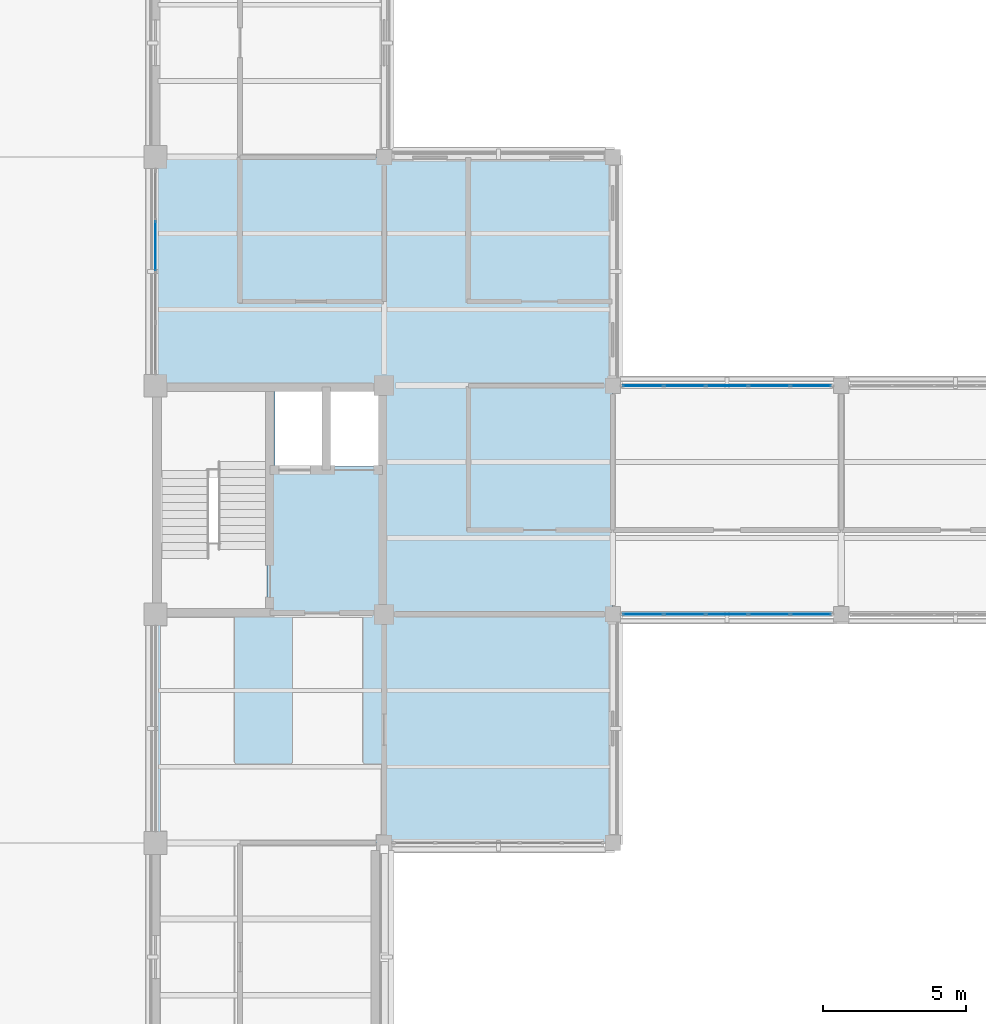
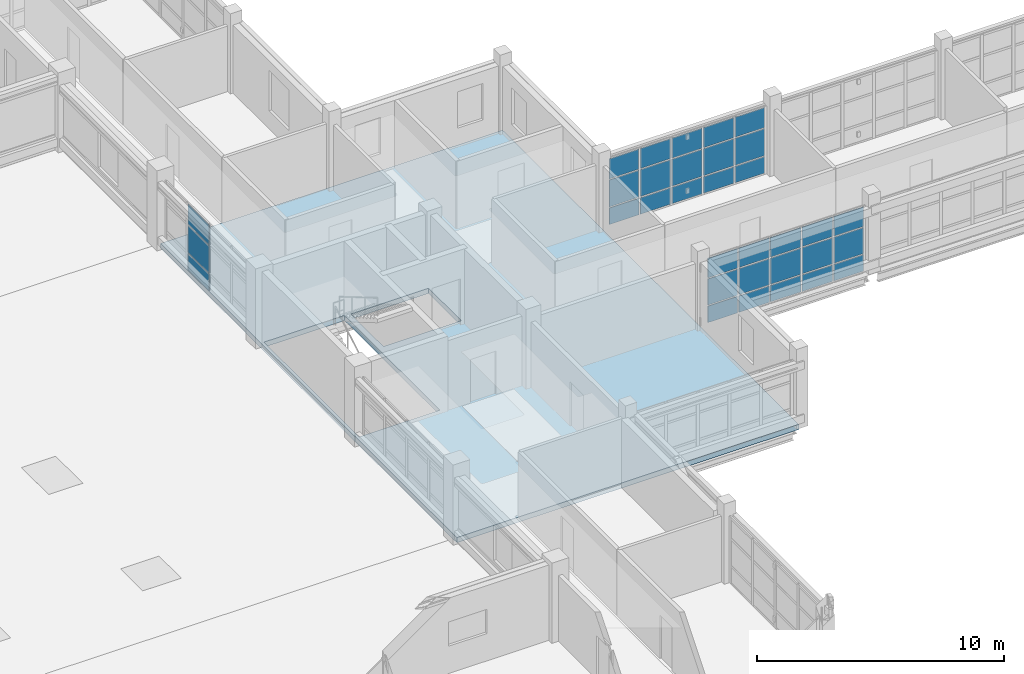
# One storey, part 61 of 107: 33 plates, 1 slab, 3 elements without a shape of their own.
"""IFC4 building model written with IfcOpenShell, lengths in metres."""

from ifc_helpers import new_model, si_unit, derived_unit, direction, frame, origin, origin_2d, place, context, subcontext, project, spatial, polyline, rectangle, outline, extrude, material, layer, layer_set, type_object, element, aggregate, save


model = new_model("IFC4")

# Units and contexts
model_context = context("Model", 3, precision=1e-05, world=origin(), true_north=direction((0.0, 1.0)))
body_context = subcontext(model_context, "Body", "Model", "MODEL_VIEW")
ifc_project = project(units=[si_unit("LENGTHUNIT", "METRE"), si_unit("AREAUNIT", "SQUARE_METRE"), si_unit("VOLUMEUNIT", "CUBIC_METRE"), si_unit("PLANEANGLEUNIT", "RADIAN"), si_unit("MASSUNIT", "GRAM", prefix="KILO"), derived_unit("THERMALTRANSMITTANCEUNIT", [(si_unit("MASSUNIT", "GRAM", prefix="KILO"), 1), (si_unit("TIMEUNIT", "SECOND"), -3), (si_unit("THERMODYNAMICTEMPERATUREUNIT", "KELVIN"), -1)])], contexts=[model_context])

# Site, building, storey
site_placement = place(None, origin())
site = spatial("IfcSite", under=ifc_project, at=site_placement, CompositionType="ELEMENT")
building_placement = place(site_placement, origin())
building = spatial("IfcBuilding", under=site, at=building_placement, Name="Veyamyaing Civic Hall", CompositionType="ELEMENT")
storey_placement = place(building_placement, frame((0.0, 0.0, 13.860107421875)))
storey = spatial("IfcBuildingStorey", under=building, at=storey_placement, Name="L03", CompositionType="ELEMENT", Elevation=13.860107421875)

# Curtain wall, plates
ifc_material_1 = material(Name="Anodised aluminium 6063-T6", Category="aluminium")
ifc_layer_1 = layer(ifc_material_1, 0.159912109375, Name="Anodised aluminium 6063-T6")
ifc_layer_set_1 = layer_set([ifc_layer_1], Name="Anodised aluminium 6063-T6")
curtain_wall_type_1 = type_object("IfcCurtainWallType", Name="CW-07", PredefinedType="NOTDEFINED", material=ifc_layer_set_1)
curtain_wall_1_placement = place(storey_placement, origin())
curtain_wall_1 = element("IfcCurtainWall", 1, at=curtain_wall_1_placement, inside=storey, type_object=curtain_wall_type_1, Name="Unitized curtain wall CW-07 L03 W 14.8", PredefinedType="NOTDEFINED")
ifc_material_2 = material(Name="Low-E insulated glass", Category="glass")
ifc_layer_2 = layer(ifc_material_2, 0.028076171875, Name="Low-E insulated glass")
ifc_layer_set_2 = layer_set([ifc_layer_2], Name="Low-E insulated glass")
plate_type_1 = type_object("IfcPlateType", Name="CWP-01", PredefinedType="CURTAIN_PANEL", material=ifc_layer_set_2)
plate_1_placement = place(storey_placement, frame((104.0, 60.892578125, 0.06494140625), z_axis=(0.0, 0.0, 1.0), x_axis=(0.0, 1.0, 0.0)))
plate_1 = element("IfcPlate", 2, at=plate_1_placement, type_object=plate_type_1, Name="CW-07 panel 3.1", PredefinedType="CURTAIN_PANEL", context=body_context, shape_type="SweptSolid", body=[
    extrude(rectangle(XDim=1.719970703125, YDim=0.028076171875, at=origin_2d()), origin(), (0.0, 0.0, 1.0), 0.802490234375),
])
plate_2_placement = place(storey_placement, frame((104.0, 60.892578125, 0.932373046875), z_axis=(0.0, 0.0, 1.0), x_axis=(0.0, 1.0, 0.0)))
plate_2 = element("IfcPlate", 3, at=plate_2_placement, type_object=plate_type_1, Name="CW-07 panel 3.2", PredefinedType="CURTAIN_PANEL", context=body_context, shape_type="SweptSolid", body=[
    extrude(rectangle(XDim=1.719970703125, YDim=0.028076171875, at=origin_2d()), origin(), (0.0, 0.0, 1.0), 1.32470703125),
])
plate_3_placement = place(storey_placement, frame((104.0, 60.892578125, 2.322021484375), z_axis=(0.0, 0.0, 1.0), x_axis=(0.0, 1.0, 0.0)))
plate_3 = element("IfcPlate", 4, at=plate_3_placement, type_object=plate_type_1, Name="CW-07 panel 3.3", PredefinedType="CURTAIN_PANEL", context=body_context, shape_type="SweptSolid", body=[
    extrude(rectangle(XDim=1.719970703125, YDim=0.028076171875, at=origin_2d()), origin(), (0.0, 0.0, 1.0), 0.97998046875),
])
aggregate(curtain_wall_1, [plate_1, plate_2, plate_3])

ifc_layer_3 = layer(ifc_material_1, 0.139892578125, Name="Anodised aluminium 6063-T6")
ifc_layer_set_3 = layer_set([ifc_layer_3], Name="Anodised aluminium 6063-T6")
curtain_wall_type_2 = type_object("IfcCurtainWallType", Name="CW-04", PredefinedType="NOTDEFINED", material=ifc_layer_set_3)
curtain_wall_2_placement = place(storey_placement, origin())
curtain_wall_2 = element("IfcCurtainWall", 5, at=curtain_wall_2_placement, inside=storey, type_object=curtain_wall_type_2, Name="Unitized curtain wall CW-04 L03 S 16.7", PredefinedType="NOTDEFINED")
ifc_layer_4 = layer(ifc_material_2, 0.031982421875, Name="Low-E insulated glass")
ifc_layer_set_4 = layer_set([ifc_layer_4], Name="Low-E insulated glass")
plate_type_2 = type_object("IfcPlateType", Name="CWP-02", PredefinedType="CURTAIN_PANEL", material=ifc_layer_set_4)
plate_4_placement = place(storey_placement, frame((121.05908203125, 48.0, 0.059814453125), z_axis=(0.0, 0.0, 1.0), x_axis=(1.0, 0.0, 0.0)))
plate_4 = element("IfcPlate", 6, at=plate_4_placement, type_object=plate_type_2, Name="CW-04 panel 1.1", PredefinedType="CURTAIN_PANEL", context=body_context, shape_type="SweptSolid", body=[
    extrude(rectangle(XDim=1.387939453125, YDim=0.031982421875, at=origin_2d()), origin(), (0.0, 0.0, 1.0), 0.81005859375),
])
plate_5_placement = place(storey_placement, frame((121.05908203125, 48.0, 0.9296875), z_axis=(0.0, 0.0, 1.0), x_axis=(1.0, 0.0, 0.0)))
plate_5 = element("IfcPlate", 7, at=plate_5_placement, type_object=plate_type_2, Name="CW-04 panel 1.2", PredefinedType="CURTAIN_PANEL", context=body_context, shape_type="SweptSolid", body=[
    extrude(rectangle(XDim=1.387939453125, YDim=0.031982421875, at=origin_2d()), origin(), (0.0, 0.0, 1.0), 1.283935546875),
])
plate_6_placement = place(storey_placement, frame((121.05908203125, 48.0, 2.27392578125), z_axis=(0.0, 0.0, 1.0), x_axis=(1.0, 0.0, 0.0)))
plate_6 = element("IfcPlate", 8, at=plate_6_placement, type_object=plate_type_2, Name="CW-04 panel 1.3", PredefinedType="CURTAIN_PANEL", context=body_context, shape_type="SweptSolid", body=[
    extrude(rectangle(XDim=1.387939453125, YDim=0.031982421875, at=origin_2d()), origin(), (0.0, 0.0, 1.0), 0.966064453125),
])
plate_7_placement = place(storey_placement, frame((122.52197265625, 48.0, 0.059814453125), z_axis=(0.0, 0.0, 1.0), x_axis=(1.0, 0.0, 0.0)))
plate_7 = element("IfcPlate", 9, at=plate_7_placement, type_object=plate_type_2, Name="CW-04 panel 2.1", PredefinedType="CURTAIN_PANEL", context=body_context, shape_type="SweptSolid", body=[
    extrude(rectangle(XDim=1.41796875, YDim=0.031982421875, at=origin_2d()), origin(), (0.0, 0.0, 1.0), 0.81005859375),
])
plate_8_placement = place(storey_placement, frame((122.52197265625, 48.0, 0.9296875), z_axis=(0.0, 0.0, 1.0), x_axis=(1.0, 0.0, 0.0)))
plate_8 = element("IfcPlate", 10, at=plate_8_placement, type_object=plate_type_2, Name="CW-04 panel 2.2", PredefinedType="CURTAIN_PANEL", context=body_context, shape_type="SweptSolid", body=[
    extrude(rectangle(XDim=1.41796875, YDim=0.031982421875, at=origin_2d()), origin(), (0.0, 0.0, 1.0), 1.283935546875),
])
plate_9_placement = place(storey_placement, frame((122.52197265625, 48.0, 2.27392578125), z_axis=(0.0, 0.0, 1.0), x_axis=(1.0, 0.0, 0.0)))
plate_9 = element("IfcPlate", 11, at=plate_9_placement, type_object=plate_type_2, Name="CW-04 panel 2.3", PredefinedType="CURTAIN_PANEL", context=body_context, shape_type="SweptSolid", body=[
    extrude(rectangle(XDim=1.41796875, YDim=0.031982421875, at=origin_2d()), origin(), (0.0, 0.0, 1.0), 0.966064453125),
])
plate_10_placement = place(storey_placement, frame((124.0, 48.0, 0.059814453125), z_axis=(0.0, 0.0, 1.0), x_axis=(1.0, 0.0, 0.0)))
plate_10 = element("IfcPlate", 12, at=plate_10_placement, type_object=plate_type_2, Name="CW-04 panel 3.1", PredefinedType="CURTAIN_PANEL", context=body_context, shape_type="SweptSolid", body=[
    extrude(rectangle(XDim=1.41796875, YDim=0.031982421875, at=origin_2d()), origin(), (0.0, 0.0, 1.0), 0.81005859375),
])
plate_11_placement = place(storey_placement, frame((124.0, 48.0, 0.9296875), z_axis=(0.0, 0.0, 1.0), x_axis=(1.0, 0.0, 0.0)))
plate_11 = element("IfcPlate", 13, at=plate_11_placement, type_object=plate_type_2, Name="CW-04 panel 3.2", PredefinedType="CURTAIN_PANEL", context=body_context, shape_type="SweptSolid", body=[
    extrude(rectangle(XDim=1.41796875, YDim=0.031982421875, at=origin_2d()), origin(), (0.0, 0.0, 1.0), 1.283935546875),
])
plate_12_placement = place(storey_placement, frame((124.0, 48.0, 2.27392578125), z_axis=(0.0, 0.0, 1.0), x_axis=(1.0, 0.0, 0.0)))
plate_12 = element("IfcPlate", 14, at=plate_12_placement, type_object=plate_type_2, Name="CW-04 panel 3.3", PredefinedType="CURTAIN_PANEL", context=body_context, shape_type="SweptSolid", body=[
    extrude(rectangle(XDim=1.41796875, YDim=0.031982421875, at=origin_2d()), origin(), (0.0, 0.0, 1.0), 0.966064453125),
])
plate_13_placement = place(storey_placement, frame((125.47802734375, 48.0, 0.059814453125), z_axis=(0.0, 0.0, 1.0), x_axis=(1.0, 0.0, 0.0)))
plate_13 = element("IfcPlate", 15, at=plate_13_placement, type_object=plate_type_2, Name="CW-04 panel 4.1", PredefinedType="CURTAIN_PANEL", context=body_context, shape_type="SweptSolid", body=[
    extrude(rectangle(XDim=1.41796875, YDim=0.031982421875, at=origin_2d()), origin(), (0.0, 0.0, 1.0), 0.81005859375),
])
plate_14_placement = place(storey_placement, frame((125.47802734375, 48.0, 0.9296875), z_axis=(0.0, 0.0, 1.0), x_axis=(1.0, 0.0, 0.0)))
plate_14 = element("IfcPlate", 16, at=plate_14_placement, type_object=plate_type_2, Name="CW-04 panel 4.2", PredefinedType="CURTAIN_PANEL", context=body_context, shape_type="SweptSolid", body=[
    extrude(rectangle(XDim=1.41796875, YDim=0.031982421875, at=origin_2d()), origin(), (0.0, 0.0, 1.0), 1.283935546875),
])
plate_15_placement = place(storey_placement, frame((125.47802734375, 48.0, 2.27392578125), z_axis=(0.0, 0.0, 1.0), x_axis=(1.0, 0.0, 0.0)))
plate_15 = element("IfcPlate", 17, at=plate_15_placement, type_object=plate_type_2, Name="CW-04 panel 4.3", PredefinedType="CURTAIN_PANEL", context=body_context, shape_type="SweptSolid", body=[
    extrude(rectangle(XDim=1.41796875, YDim=0.031982421875, at=origin_2d()), origin(), (0.0, 0.0, 1.0), 0.966064453125),
])
plate_16_placement = place(storey_placement, frame((126.94091796875, 48.0, 0.059814453125), z_axis=(0.0, 0.0, 1.0), x_axis=(1.0, 0.0, 0.0)))
plate_16 = element("IfcPlate", 18, at=plate_16_placement, type_object=plate_type_2, Name="CW-04 panel 5.1", PredefinedType="CURTAIN_PANEL", context=body_context, shape_type="SweptSolid", body=[
    extrude(rectangle(XDim=1.387939453125, YDim=0.031982421875, at=origin_2d()), origin(), (0.0, 0.0, 1.0), 0.81005859375),
])
plate_17_placement = place(storey_placement, frame((126.94091796875, 48.0, 0.9296875), z_axis=(0.0, 0.0, 1.0), x_axis=(1.0, 0.0, 0.0)))
plate_17 = element("IfcPlate", 19, at=plate_17_placement, type_object=plate_type_2, Name="CW-04 panel 5.2", PredefinedType="CURTAIN_PANEL", context=body_context, shape_type="SweptSolid", body=[
    extrude(rectangle(XDim=1.387939453125, YDim=0.031982421875, at=origin_2d()), origin(), (0.0, 0.0, 1.0), 1.283935546875),
])
plate_18_placement = place(storey_placement, frame((126.94091796875, 48.0, 2.27392578125), z_axis=(0.0, 0.0, 1.0), x_axis=(1.0, 0.0, 0.0)))
plate_18 = element("IfcPlate", 20, at=plate_18_placement, type_object=plate_type_2, Name="CW-04 panel 5.3", PredefinedType="CURTAIN_PANEL", context=body_context, shape_type="SweptSolid", body=[
    extrude(rectangle(XDim=1.387939453125, YDim=0.031982421875, at=origin_2d()), origin(), (0.0, 0.0, 1.0), 0.966064453125),
])
aggregate(curtain_wall_2, [plate_4, plate_5, plate_6, plate_7, plate_8, plate_9, plate_10, plate_11, plate_12, plate_13, plate_14, plate_15, plate_16, plate_17, plate_18])

curtain_wall_3_placement = place(storey_placement, origin())
curtain_wall_3 = element("IfcCurtainWall", 21, at=curtain_wall_3_placement, inside=storey, type_object=curtain_wall_type_2, Name="Unitized curtain wall CW-04 L03 N 16.7", PredefinedType="NOTDEFINED")
plate_19_placement = place(storey_placement, frame((121.05908203125, 56.0, 0.059814453125), z_axis=(0.0, 0.0, 1.0), x_axis=(1.0, 0.0, 0.0)))
plate_19 = element("IfcPlate", 22, at=plate_19_placement, type_object=plate_type_2, Name="CW-04 panel 1.1", PredefinedType="CURTAIN_PANEL", context=body_context, shape_type="SweptSolid", body=[
    extrude(rectangle(XDim=1.387939453125, YDim=0.031982421875, at=origin_2d()), origin(), (0.0, 0.0, 1.0), 0.81005859375),
])
plate_20_placement = place(storey_placement, frame((121.05908203125, 56.0, 0.93017578125), z_axis=(0.0, 0.0, 1.0), x_axis=(1.0, 0.0, 0.0)))
plate_20 = element("IfcPlate", 23, at=plate_20_placement, type_object=plate_type_2, Name="CW-04 panel 1.2", PredefinedType="CURTAIN_PANEL", context=body_context, shape_type="SweptSolid", body=[
    extrude(rectangle(XDim=1.387939453125, YDim=0.031982421875, at=origin_2d()), origin(), (0.0, 0.0, 1.0), 1.327392578125),
])
plate_21_placement = place(storey_placement, frame((121.05908203125, 56.0, 2.3173828125), z_axis=(0.0, 0.0, 1.0), x_axis=(1.0, 0.0, 0.0)))
plate_21 = element("IfcPlate", 24, at=plate_21_placement, type_object=plate_type_2, Name="CW-04 panel 1.3", PredefinedType="CURTAIN_PANEL", context=body_context, shape_type="SweptSolid", body=[
    extrude(rectangle(XDim=1.387939453125, YDim=0.031982421875, at=origin_2d()), origin(), (0.0, 0.0, 1.0), 0.986572265625),
])
plate_22_placement = place(storey_placement, frame((122.52197265625, 56.0, 0.059814453125), z_axis=(0.0, 0.0, 1.0), x_axis=(1.0, 0.0, 0.0)))
plate_22 = element("IfcPlate", 25, at=plate_22_placement, type_object=plate_type_2, Name="CW-04 panel 2.1", PredefinedType="CURTAIN_PANEL", context=body_context, shape_type="SweptSolid", body=[
    extrude(rectangle(XDim=1.41796875, YDim=0.031982421875, at=origin_2d()), origin(), (0.0, 0.0, 1.0), 0.81005859375),
])
plate_23_placement = place(storey_placement, frame((122.52197265625, 56.0, 0.93017578125), z_axis=(0.0, 0.0, 1.0), x_axis=(1.0, 0.0, 0.0)))
plate_23 = element("IfcPlate", 26, at=plate_23_placement, type_object=plate_type_2, Name="CW-04 panel 2.2", PredefinedType="CURTAIN_PANEL", context=body_context, shape_type="SweptSolid", body=[
    extrude(rectangle(XDim=1.41796875, YDim=0.031982421875, at=origin_2d()), origin(), (0.0, 0.0, 1.0), 1.327392578125),
])
plate_24_placement = place(storey_placement, frame((122.52197265625, 56.0, 2.3173828125), z_axis=(0.0, 0.0, 1.0), x_axis=(1.0, 0.0, 0.0)))
plate_24 = element("IfcPlate", 27, at=plate_24_placement, type_object=plate_type_2, Name="CW-04 panel 2.3", PredefinedType="CURTAIN_PANEL", context=body_context, shape_type="SweptSolid", body=[
    extrude(rectangle(XDim=1.41796875, YDim=0.031982421875, at=origin_2d()), origin(), (0.0, 0.0, 1.0), 0.986572265625),
])
plate_25_placement = place(storey_placement, frame((124.0, 56.0, 0.059814453125), z_axis=(0.0, 0.0, 1.0), x_axis=(1.0, 0.0, 0.0)))
plate_25 = element("IfcPlate", 28, at=plate_25_placement, type_object=plate_type_2, Name="CW-04 panel 3.1", PredefinedType="CURTAIN_PANEL", context=body_context, shape_type="SweptSolid", body=[
    extrude(rectangle(XDim=1.41796875, YDim=0.031982421875, at=origin_2d()), origin(), (0.0, 0.0, 1.0), 0.81005859375),
])
plate_26_placement = place(storey_placement, frame((124.0, 56.0, 0.93017578125), z_axis=(0.0, 0.0, 1.0), x_axis=(1.0, 0.0, 0.0)))
plate_26 = element("IfcPlate", 29, at=plate_26_placement, type_object=plate_type_2, Name="CW-04 panel 3.2", PredefinedType="CURTAIN_PANEL", context=body_context, shape_type="SweptSolid", body=[
    extrude(rectangle(XDim=1.41796875, YDim=0.031982421875, at=origin_2d()), origin(), (0.0, 0.0, 1.0), 1.327392578125),
])
plate_27_placement = place(storey_placement, frame((124.0, 56.0, 2.3173828125), z_axis=(0.0, 0.0, 1.0), x_axis=(1.0, 0.0, 0.0)))
plate_27 = element("IfcPlate", 30, at=plate_27_placement, type_object=plate_type_2, Name="CW-04 panel 3.3", PredefinedType="CURTAIN_PANEL", context=body_context, shape_type="SweptSolid", body=[
    extrude(rectangle(XDim=1.41796875, YDim=0.031982421875, at=origin_2d()), origin(), (0.0, 0.0, 1.0), 0.986572265625),
])
plate_28_placement = place(storey_placement, frame((125.47802734375, 56.0, 0.059814453125), z_axis=(0.0, 0.0, 1.0), x_axis=(1.0, 0.0, 0.0)))
plate_28 = element("IfcPlate", 31, at=plate_28_placement, type_object=plate_type_2, Name="CW-04 panel 4.1", PredefinedType="CURTAIN_PANEL", context=body_context, shape_type="SweptSolid", body=[
    extrude(rectangle(XDim=1.41796875, YDim=0.031982421875, at=origin_2d()), origin(), (0.0, 0.0, 1.0), 0.81005859375),
])
plate_29_placement = place(storey_placement, frame((125.47802734375, 56.0, 0.93017578125), z_axis=(0.0, 0.0, 1.0), x_axis=(1.0, 0.0, 0.0)))
plate_29 = element("IfcPlate", 32, at=plate_29_placement, type_object=plate_type_2, Name="CW-04 panel 4.2", PredefinedType="CURTAIN_PANEL", context=body_context, shape_type="SweptSolid", body=[
    extrude(rectangle(XDim=1.41796875, YDim=0.031982421875, at=origin_2d()), origin(), (0.0, 0.0, 1.0), 1.327392578125),
])
plate_30_placement = place(storey_placement, frame((125.47802734375, 56.0, 2.3173828125), z_axis=(0.0, 0.0, 1.0), x_axis=(1.0, 0.0, 0.0)))
plate_30 = element("IfcPlate", 33, at=plate_30_placement, type_object=plate_type_2, Name="CW-04 panel 4.3", PredefinedType="CURTAIN_PANEL", context=body_context, shape_type="SweptSolid", body=[
    extrude(rectangle(XDim=1.41796875, YDim=0.031982421875, at=origin_2d()), origin(), (0.0, 0.0, 1.0), 0.986572265625),
])
plate_31_placement = place(storey_placement, frame((126.94091796875, 56.0, 0.059814453125), z_axis=(0.0, 0.0, 1.0), x_axis=(1.0, 0.0, 0.0)))
plate_31 = element("IfcPlate", 34, at=plate_31_placement, type_object=plate_type_2, Name="CW-04 panel 5.1", PredefinedType="CURTAIN_PANEL", context=body_context, shape_type="SweptSolid", body=[
    extrude(rectangle(XDim=1.387939453125, YDim=0.031982421875, at=origin_2d()), origin(), (0.0, 0.0, 1.0), 0.81005859375),
])
plate_32_placement = place(storey_placement, frame((126.94091796875, 56.0, 0.93017578125), z_axis=(0.0, 0.0, 1.0), x_axis=(1.0, 0.0, 0.0)))
plate_32 = element("IfcPlate", 35, at=plate_32_placement, type_object=plate_type_2, Name="CW-04 panel 5.2", PredefinedType="CURTAIN_PANEL", context=body_context, shape_type="SweptSolid", body=[
    extrude(rectangle(XDim=1.387939453125, YDim=0.031982421875, at=origin_2d()), origin(), (0.0, 0.0, 1.0), 1.327392578125),
])
plate_33_placement = place(storey_placement, frame((126.94091796875, 56.0, 2.3173828125), z_axis=(0.0, 0.0, 1.0), x_axis=(1.0, 0.0, 0.0)))
plate_33 = element("IfcPlate", 36, at=plate_33_placement, type_object=plate_type_2, Name="CW-04 panel 5.3", PredefinedType="CURTAIN_PANEL", context=body_context, shape_type="SweptSolid", body=[
    extrude(rectangle(XDim=1.387939453125, YDim=0.031982421875, at=origin_2d()), origin(), (0.0, 0.0, 1.0), 0.986572265625),
])
aggregate(curtain_wall_3, [plate_19, plate_20, plate_21, plate_22, plate_23, plate_24, plate_25, plate_26, plate_27, plate_28, plate_29, plate_30, plate_31, plate_32, plate_33])

# Slab
ifc_material_3 = material(Name="Concrete C40/50", Category="concrete")
ifc_layer_5 = layer(ifc_material_3, 0.2548828125, Name="Concrete C40/50")
ifc_layer_set_5 = layer_set([ifc_layer_5], Name="Concrete C40/50")
slab_type = type_object("IfcSlabType", Name="SL-05", PredefinedType="FLOOR", material=ifc_layer_set_5)
slab_placement = place(storey_placement, frame((0.0, 0.0, -0.255126953125)))
element("IfcSlab", 37, at=slab_placement, inside=storey, type_object=slab_type, Name="Floor slab SL-05 L03 V1C.2", PredefinedType="FLOOR", context=body_context, shape_type="SweptSolid", body=[
    extrude(outline(polyline([(104.0, 64.0), (120.0, 64.0), (120.0, 40.0), (104.0, 40.0), (104.0, 64.0)]), holes=[polyline([(107.909912109375, 55.860107421875), (104.139892578125, 55.860107421875), (104.139892578125, 48.139892578125), (107.909912109375, 48.139892578125), (107.909912109375, 55.860107421875)]), polyline([(111.820068359375, 55.820068359375), (108.179931640625, 55.820068359375), (108.179931640625, 53.179931640625), (111.820068359375, 53.179931640625), (111.820068359375, 55.820068359375)])]), origin(), (0.0, 0.0, 1.0), 0.255126953125),
])

save(model, "model.ifc")
